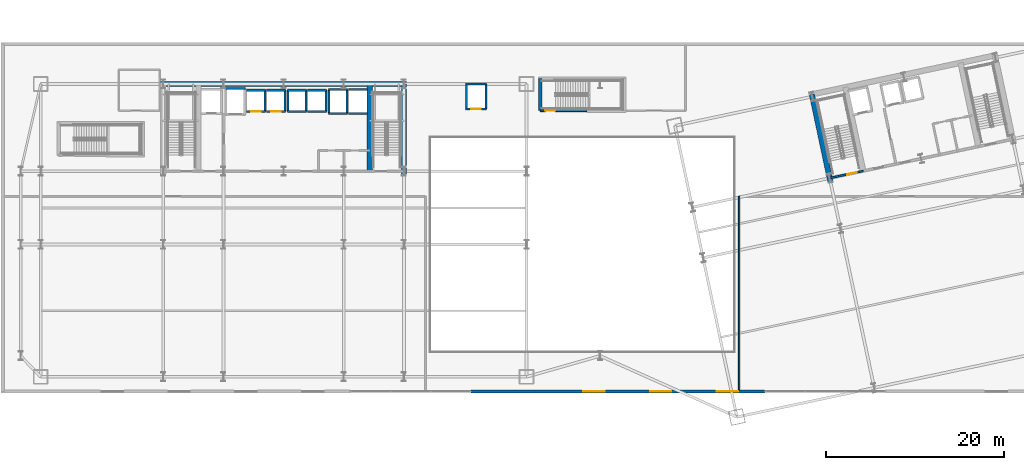
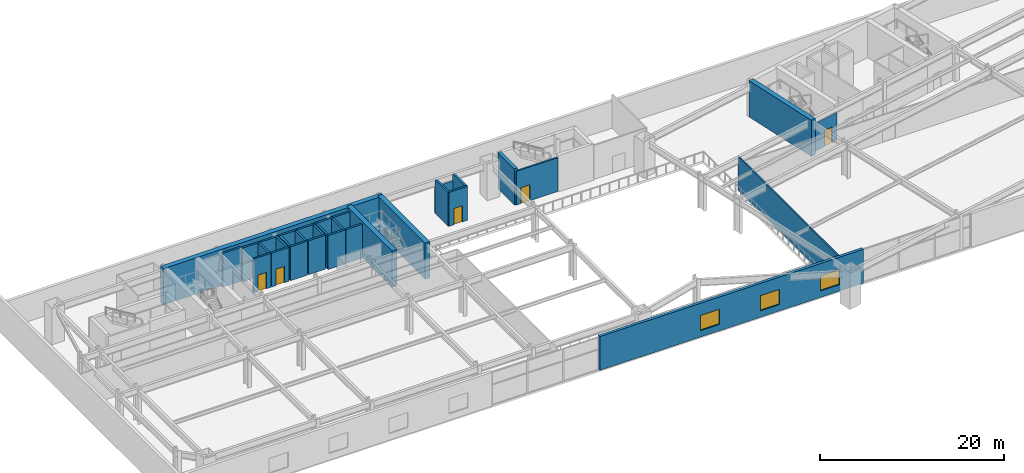
# One storey, part 13 of 25: 33 walls, 5 doors, 3 windows, 8 openings.
"""IFC4 building model written with IfcOpenShell, lengths in metres."""

from ifc_helpers import new_model, si_unit, direction, frame, frame_2d, origin, place, context, subcontext, project, spatial, rectangle, extrude, material, layer, layer_set, type_object, element, fill, save


model = new_model("IFC4")

# Units and contexts
model_context = context("Model", 3, precision=1e-05, world=origin(), true_north=direction((0.0, 1.0)))
body_context = subcontext(model_context, "Body", "Model", "MODEL_VIEW")
ifc_project = project(units=[si_unit("LENGTHUNIT", "METRE"), si_unit("AREAUNIT", "SQUARE_METRE"), si_unit("VOLUMEUNIT", "CUBIC_METRE"), si_unit("PLANEANGLEUNIT", "RADIAN"), si_unit("MASSUNIT", "GRAM", prefix="KILO")], contexts=[model_context])

# Site, building, storey
site_placement = place(None, origin())
site = spatial("IfcSite", under=ifc_project, at=site_placement, CompositionType="ELEMENT")
building_placement = place(site_placement, origin())
building = spatial("IfcBuilding", under=site, at=building_placement, Name="Haevon Station Towers", CompositionType="ELEMENT")
storey_placement = place(building_placement, frame((0.0, 0.0, 6.0)))
storey = spatial("IfcBuildingStorey", under=building, at=storey_placement, Name="L01", CompositionType="ELEMENT", Elevation=6.0)

# Wall, opening, door
ifc_material_1 = material(Name="Gypsum board on steel stud", Category="steel")
ifc_layer_1 = layer(ifc_material_1, 0.199951171875)
ifc_layer_set_1 = layer_set([ifc_layer_1], Name="Gypsum board on steel stud")
wall_type_1 = type_object("IfcWallType", Name="WL-COR200", PredefinedType="PARTITIONING", material=ifc_layer_set_1)
wall_1_placement = place(storey_placement, frame((98.75244140625, 37.4423828125, 0.0), z_axis=(0.0, 0.0, 1.0), x_axis=(0.978143537786, 0.207930804564, 0.0)))
wall_1 = element("IfcWall", 1, at=wall_1_placement, inside=storey, type_object=wall_type_1, Name="WL-ST-ST3-L01", PredefinedType="PARTITIONING", context=body_context, shape_type="SweptSolid", body=[
    extrude(rectangle(XDim=3.85009765625, YDim=0.199951171875, at=frame_2d((1.925048828125, 0.0))), origin(), (0.0, 0.0, 1.0), 3.679931640625),
])
opening_1_placement = place(wall_1_placement, frame((2.0, 0.0, 0.0)))
opening_1 = element("IfcOpeningElement", 2, at=opening_1_placement, cuts=wall_1, Name="Opening DR-ST-ST3-L01", PredefinedType="OPENING", context=body_context, shape_type="SweptSolid", body=[
    extrude(rectangle(XDim=1.1201171875, YDim=2.10009765625, at=frame_2d((0.56005859375, 1.050048828125))), frame((0.0, 0.10986328125, 0.0), z_axis=(0.0, -1.0, 0.0), x_axis=(1.0, 0.0, 0.0)), (0.0, 0.0, 1.0), 0.219970703125),
])
ifc_material_2 = material(Name="Engineered oak timber", Category="wood")
door_type_1 = type_object("IfcDoorType", Name="DR-ST-1120", OperationType="NOTDEFINED", PredefinedType="DOOR", material=ifc_material_2)
door_1_placement = place(opening_1_placement, origin())
door_1 = element("IfcDoor", 3, at=door_1_placement, inside=storey, type_object=door_type_1, Name="L01 Escape Stair ST3 Fire Door", OperationType="SINGLE_SWING_LEFT", OverallHeight=2.10009765625, OverallWidth=1.1201171875, PredefinedType="DOOR", context=body_context, shape_type="SweptSolid", body=[
    extrude(rectangle(XDim=1.1201171875, YDim=2.10009765625, at=frame_2d((0.56005859375, 1.050048828125))), frame((0.0, 0.02490234375, 0.0), z_axis=(0.0, -1.0, 0.0), x_axis=(1.0, 0.0, 0.0)), (0.0, 0.0, 1.0), 0.050048828125),
])
fill(opening_1, door_1)

wall_2_placement = place(storey_placement, frame((66.300048828125, 45.0, 0.0), z_axis=(0.0, 0.0, 1.0), x_axis=(1.0, 0.0, 0.0)))
wall_2 = element("IfcWall", 4, at=wall_2_placement, inside=storey, type_object=wall_type_1, Name="WL-ST-ST6-L01-S", PredefinedType="PARTITIONING", context=body_context, shape_type="SweptSolid", body=[
    extrude(rectangle(XDim=5.199951171875, YDim=0.199951171875, at=frame_2d((2.60009765625, 0.0))), origin(), (0.0, 0.0, 1.0), 4.47998046875),
])
opening_2_placement = place(wall_2_placement, frame((0.550048828125, 0.0, 0.0)))
opening_2 = element("IfcOpeningElement", 5, at=opening_2_placement, cuts=wall_2, Name="Opening DR-ST-ST6-L01", PredefinedType="OPENING", context=body_context, shape_type="SweptSolid", body=[
    extrude(rectangle(XDim=1.1201171875, YDim=2.10009765625, at=frame_2d((0.56005859375, 1.050048828125))), frame((0.0, 0.10986328125, 0.0), z_axis=(0.0, -1.0, 0.0), x_axis=(1.0, 0.0, 0.0)), (0.0, 0.0, 1.0), 0.219970703125),
])
door_2_placement = place(opening_2_placement, origin())
door_2 = element("IfcDoor", 6, at=door_2_placement, inside=storey, type_object=door_type_1, Name="L01 Station Escape Stair ST6 Fire Door", OperationType="SINGLE_SWING_LEFT", OverallHeight=2.10009765625, OverallWidth=1.1201171875, PredefinedType="DOOR", context=body_context, shape_type="SweptSolid", body=[
    extrude(rectangle(XDim=1.1201171875, YDim=2.10009765625, at=frame_2d((0.56005859375, 1.050048828125))), frame((0.0, 0.02490234375, 0.0), z_axis=(0.0, -1.0, 0.0), x_axis=(1.0, 0.0, 0.0)), (0.0, 0.0, 1.0), 0.050048828125),
])
fill(opening_2, door_2)

# Walls
ifc_material_3 = material(Name="Concrete C60/75", Category="concrete")
ifc_layer_2 = layer(ifc_material_3, 0.39990234375)
ifc_layer_set_2 = layer_set([ifc_layer_2], Name="Concrete C60/75")
wall_type_2 = type_object("IfcWallType", Name="WL-CR400", PredefinedType="SHEAR", material=ifc_layer_set_2)
wall_3_placement = place(storey_placement, frame((66.300048828125, 45.0, 0.0), z_axis=(0.0, 0.0, 1.0), x_axis=(0.0, 1.0, 0.0)))
element("IfcWall", 7, at=wall_3_placement, inside=storey, type_object=wall_type_2, Name="WL-ST6CR-L01-W", PredefinedType="SHEAR", context=body_context, shape_type="SweptSolid", body=[
    extrude(rectangle(XDim=3.60009765625, YDim=0.39990234375, at=frame_2d((1.800048828125, 0.0))), origin(), (0.0, 0.0, 1.0), 4.800048828125),
])
ifc_layer_3 = layer(ifc_material_3, 0.60009765625)
ifc_layer_set_3 = layer_set([ifc_layer_3], Name="Concrete C60/75")
wall_type_3 = type_object("IfcWallType", Name="WL-CR600", PredefinedType="SHEAR", material=ifc_layer_set_3)
wall_4_placement = place(storey_placement, frame((23.699951171875, 48.0, 0.0), z_axis=(0.0, 0.0, 1.0), x_axis=(1.0, 0.0, 0.0)))
element("IfcWall", 8, at=wall_4_placement, inside=storey, type_object=wall_type_3, Name="WL-T1CR-L01-N", PredefinedType="SHEAR", context=body_context, shape_type="SweptSolid", body=[
    extrude(rectangle(XDim=27.60009765625, YDim=0.60009765625, at=frame_2d((13.800048828125, 0.0))), origin(), (0.0, 0.0, 1.0), 4.800048828125),
])
wall_5_placement = place(storey_placement, frame((51.0, 37.679931640625, 0.0), z_axis=(0.0, 0.0, 1.0), x_axis=(0.0, 1.0, 0.0)))
element("IfcWall", 9, at=wall_5_placement, inside=storey, type_object=wall_type_3, Name="WL-T1CR-L01-E", PredefinedType="SHEAR", context=body_context, shape_type="SweptSolid", body=[
    extrude(rectangle(XDim=10.320068359375, YDim=0.60009765625, at=frame_2d((5.16015625, 0.0))), origin(), (0.0, 0.0, 1.0), 4.800048828125),
])
wall_6_placement = place(storey_placement, frame((47.14990234375, 38.199951171875, 0.0), z_axis=(0.0, 0.0, 1.0), x_axis=(0.0, 1.0, 0.0)))
element("IfcWall", 10, at=wall_6_placement, inside=storey, type_object=wall_type_3, Name="WL-T1CR-L01-M2", PredefinedType="SHEAR", context=body_context, shape_type="SweptSolid", body=[
    extrude(rectangle(XDim=9.800048828125, YDim=0.60009765625, at=frame_2d((4.89990234375, 0.0))), origin(), (0.0, 0.0, 1.0), 4.800048828125),
])
wall_7_placement = place(storey_placement, frame((98.8603515625, 36.933837890625, 0.0), z_axis=(0.0, 0.0, 1.0), x_axis=(-0.20790924889, 0.978148119778, 0.0)))
element("IfcWall", 11, at=wall_7_placement, inside=storey, type_object=wall_type_3, Name="WL-T2CR-L01-W", PredefinedType="SHEAR", context=body_context, shape_type="SweptSolid", body=[
    extrude(rectangle(XDim=10.119873046875, YDim=0.60009765625, at=frame_2d((5.06005859375, 0.0))), origin(), (0.0, 0.0, 1.0), 4.800048828125),
])

# Wall, openings, windows
ifc_material_4 = material(Name="Precast concrete C45/55", Category="concrete")
ifc_layer_4 = layer(ifc_material_4, 0.360107421875)
ifc_layer_set_4 = layer_set([ifc_layer_4], Name="Precast concrete C45/55")
wall_type_4 = type_object("IfcWallType", Name="WL-EXT-POD360", PredefinedType="SOLIDWALL", material=ifc_layer_set_4)
wall_8_placement = place(storey_placement, frame((91.5, 13.5, 0.0), z_axis=(0.0, 0.0, 1.0), x_axis=(-1.0, 0.0, 0.0)))
wall_8 = element("IfcWall", 12, at=wall_8_placement, inside=storey, type_object=wall_type_4, Name="WL-POD-L01-S2", PredefinedType="SOLIDWALL", context=body_context, shape_type="SweptSolid", body=[
    extrude(rectangle(XDim=33.0, YDim=0.360107421875, at=frame_2d((16.5, 0.0))), origin(), (0.0, 0.0, 1.0), 4.47998046875),
])
opening_3_placement = place(wall_8_placement, frame((3.0, 0.0, 0.85009765625)))
opening_3 = element("IfcOpeningElement", 13, at=opening_3_placement, cuts=wall_8, Name="Opening WN-P240", PredefinedType="OPENING", context=body_context, shape_type="SweptSolid", body=[
    extrude(rectangle(XDim=2.39990234375, YDim=2.0, at=frame_2d((1.199951171875, 1.0))), frame((0.0, 0.18994140625, 0.0), z_axis=(0.0, -1.0, 0.0), x_axis=(1.0, 0.0, 0.0)), (0.0, 0.0, 1.0), 0.380126953125),
])
opening_4_placement = place(wall_8_placement, frame((10.5, 0.0, 0.85009765625)))
opening_4 = element("IfcOpeningElement", 14, at=opening_4_placement, cuts=wall_8, Name="Opening WN-P240", PredefinedType="OPENING", context=body_context, shape_type="SweptSolid", body=[
    extrude(rectangle(XDim=2.39990234375, YDim=2.0, at=frame_2d((1.199951171875, 1.0))), frame((0.0, 0.18994140625, 0.0), z_axis=(0.0, -1.0, 0.0), x_axis=(1.0, 0.0, 0.0)), (0.0, 0.0, 1.0), 0.380126953125),
])
opening_5_placement = place(wall_8_placement, frame((18.0, 0.0, 0.85009765625)))
opening_5 = element("IfcOpeningElement", 15, at=opening_5_placement, cuts=wall_8, Name="Opening WN-P240", PredefinedType="OPENING", context=body_context, shape_type="SweptSolid", body=[
    extrude(rectangle(XDim=2.39990234375, YDim=2.0, at=frame_2d((1.199951171875, 1.0))), frame((0.0, 0.18994140625, 0.0), z_axis=(0.0, -1.0, 0.0), x_axis=(1.0, 0.0, 0.0)), (0.0, 0.0, 1.0), 0.380126953125),
])
ifc_material_5 = material(Name="Low-E triple glazing in thermally broken aluminium", Category="aluminium")
window_type = type_object("IfcWindowType", Name="WN-P240", PartitioningType="SINGLE_PANEL", PredefinedType="WINDOW", material=ifc_material_5)
window_1_placement = place(opening_3_placement, origin())
window_1 = element("IfcWindow", 16, at=window_1_placement, inside=storey, type_object=window_type, Name="WN-POD-L01-S2-01", OverallHeight=2.0, OverallWidth=2.39990234375, PartitioningType="SINGLE_PANEL", PredefinedType="WINDOW", context=body_context, shape_type="SweptSolid", body=[
    extrude(rectangle(XDim=2.39990234375, YDim=2.0, at=frame_2d((1.199951171875, 1.0))), frame((0.0, 0.030029296875, 0.0), z_axis=(0.0, -1.0, 0.0), x_axis=(1.0, 0.0, 0.0)), (0.0, 0.0, 1.0), 0.06005859375),
])
fill(opening_3, window_1)
window_2_placement = place(opening_4_placement, origin())
window_2 = element("IfcWindow", 17, at=window_2_placement, inside=storey, type_object=window_type, Name="WN-POD-L01-S2-02", OverallHeight=2.0, OverallWidth=2.39990234375, PartitioningType="SINGLE_PANEL", PredefinedType="WINDOW", context=body_context, shape_type="SweptSolid", body=[
    extrude(rectangle(XDim=2.39990234375, YDim=2.0, at=frame_2d((1.199951171875, 1.0))), frame((0.0, 0.030029296875, 0.0), z_axis=(0.0, -1.0, 0.0), x_axis=(1.0, 0.0, 0.0)), (0.0, 0.0, 1.0), 0.06005859375),
])
fill(opening_4, window_2)
window_3_placement = place(opening_5_placement, origin())
window_3 = element("IfcWindow", 18, at=window_3_placement, inside=storey, type_object=window_type, Name="WN-POD-L01-S2-03", OverallHeight=2.0, OverallWidth=2.39990234375, PartitioningType="SINGLE_PANEL", PredefinedType="WINDOW", context=body_context, shape_type="SweptSolid", body=[
    extrude(rectangle(XDim=2.39990234375, YDim=2.0, at=frame_2d((1.199951171875, 1.0))), frame((0.0, 0.030029296875, 0.0), z_axis=(0.0, -1.0, 0.0), x_axis=(1.0, 0.0, 0.0)), (0.0, 0.0, 1.0), 0.06005859375),
])
fill(opening_5, window_3)

# Walls
ifc_layer_5 = layer(ifc_material_1, 0.159912109375)
ifc_layer_set_5 = layer_set([ifc_layer_5], Name="Gypsum board on steel stud")
wall_type_5 = type_object("IfcWallType", Name="WL-PRT160", PredefinedType="PARTITIONING", material=ifc_layer_set_5)
wall_9_placement = place(storey_placement, frame((88.60009765625, 13.64990234375, 0.0), z_axis=(0.0, 0.0, 1.0), x_axis=(0.0, 1.0, 0.0)))
element("IfcWall", 19, at=wall_9_placement, inside=storey, type_object=wall_type_5, Name="WL-L01-EAST", PredefinedType="PARTITIONING", context=body_context, shape_type="SweptSolid", body=[
    extrude(rectangle(XDim=21.75, YDim=0.159912109375, at=frame_2d((10.875, 0.0))), origin(), (0.0, 0.0, 1.0), 4.47998046875),
])
ifc_material_6 = material(Name="Concrete C40/50", Category="concrete")
ifc_layer_6 = layer(ifc_material_6, 0.239990234375)
ifc_layer_set_6 = layer_set([ifc_layer_6], Name="Concrete C40/50")
wall_type_6 = type_object("IfcWallType", Name="WL-SHF240", PredefinedType="PARTITIONING", material=ifc_layer_set_6)
wall_10_placement = place(storey_placement, frame((30.969970703125, 47.5, 0.0), z_axis=(0.0, 0.0, 1.0), x_axis=(1.0, 0.0, 0.0)))
element("IfcWall", 20, at=wall_10_placement, inside=storey, type_object=wall_type_6, Name="WL-SHF-SL1-L01-N", PredefinedType="PARTITIONING", context=body_context, shape_type="SweptSolid", body=[
    extrude(rectangle(XDim=2.260009765625, YDim=0.239990234375, at=frame_2d((1.1298828125, 0.0))), origin(), (0.0, 0.0, 1.0), 4.47998046875),
])

# Wall, opening, door
wall_11_placement = place(storey_placement, frame((33.320068359375, 44.89990234375, 0.0), z_axis=(0.0, 0.0, 1.0), x_axis=(1.0, 0.0, 0.0)))
wall_11 = element("IfcWall", 21, at=wall_11_placement, inside=storey, type_object=wall_type_6, Name="WL-SHF-PL1-L01", PredefinedType="PARTITIONING", context=body_context, shape_type="SweptSolid", body=[
    extrude(rectangle(XDim=2.159912109375, YDim=0.239990234375, at=frame_2d((1.080078125, 0.0))), origin(), (0.0, 0.0, 1.0), 4.47998046875),
])
opening_6_placement = place(wall_11_placement, frame((0.554931640625, 0.0, 0.0)))
opening_6 = element("IfcOpeningElement", 22, at=opening_6_placement, cuts=wall_11, Name="Opening LD-PL1-L01", PredefinedType="OPENING", context=body_context, shape_type="SweptSolid", body=[
    extrude(rectangle(XDim=1.050048828125, YDim=2.14990234375, at=frame_2d((0.52490234375, 1.074951171875))), frame((0.0, 0.1298828125, 0.0), z_axis=(0.0, -1.0, 0.0), x_axis=(1.0, 0.0, 0.0)), (0.0, 0.0, 1.0), 0.260009765625),
])
ifc_material_7 = material(Name="Stainless steel and rated core", Category="steel")
door_type_2 = type_object("IfcDoorType", Name="LD-PL1050", OperationType="SLIDING_TO_LEFT", PredefinedType="DOOR", material=ifc_material_7)
door_3_placement = place(opening_6_placement, origin())
door_3 = element("IfcDoor", 23, at=door_3_placement, inside=storey, type_object=door_type_2, Name="L01 Lift PL1 Sliding Landing Door", OperationType="SLIDING_TO_LEFT", OverallHeight=2.14990234375, OverallWidth=1.050048828125, PredefinedType="DOOR", context=body_context, shape_type="SweptSolid", body=[
    extrude(rectangle(XDim=1.050048828125, YDim=2.14990234375, at=frame_2d((0.52490234375, 1.074951171875))), frame((0.0, 0.02490234375, 0.0), z_axis=(0.0, -1.0, 0.0), x_axis=(1.0, 0.0, 0.0)), (0.0, 0.0, 1.0), 0.050048828125),
])
fill(opening_6, door_3)

# Walls
wall_12_placement = place(storey_placement, frame((33.320068359375, 47.300048828125, 0.0), z_axis=(0.0, 0.0, 1.0), x_axis=(1.0, 0.0, 0.0)))
element("IfcWall", 24, at=wall_12_placement, inside=storey, type_object=wall_type_6, Name="WL-SHF-PL1-L01-N", PredefinedType="PARTITIONING", context=body_context, shape_type="SweptSolid", body=[
    extrude(rectangle(XDim=2.159912109375, YDim=0.239990234375, at=frame_2d((1.080078125, 0.0))), origin(), (0.0, 0.0, 1.0), 4.47998046875),
])
wall_13_placement = place(storey_placement, frame((35.39990234375, 44.89990234375, 0.0), z_axis=(0.0, 0.0, 1.0), x_axis=(0.0, 1.0, 0.0)))
element("IfcWall", 25, at=wall_13_placement, inside=storey, type_object=wall_type_6, Name="WL-SHF-PL1-L01-E", PredefinedType="PARTITIONING", context=body_context, shape_type="SweptSolid", body=[
    extrude(rectangle(XDim=2.400146484375, YDim=0.239990234375, at=frame_2d((1.2001953125, 0.0))), origin(), (0.0, 0.0, 1.0), 4.47998046875),
])

# Wall, opening, door
wall_14_placement = place(storey_placement, frame((35.570068359375, 44.89990234375, 0.0), z_axis=(0.0, 0.0, 1.0), x_axis=(1.0, 0.0, 0.0)))
wall_14 = element("IfcWall", 26, at=wall_14_placement, inside=storey, type_object=wall_type_6, Name="WL-SHF-PL2-L01", PredefinedType="PARTITIONING", context=body_context, shape_type="SweptSolid", body=[
    extrude(rectangle(XDim=2.159912109375, YDim=0.239990234375, at=frame_2d((1.080078125, 0.0))), origin(), (0.0, 0.0, 1.0), 4.47998046875),
])
opening_7_placement = place(wall_14_placement, frame((0.554931640625, 0.0, 0.0)))
opening_7 = element("IfcOpeningElement", 27, at=opening_7_placement, cuts=wall_14, Name="Opening LD-PL2-L01", PredefinedType="OPENING", context=body_context, shape_type="SweptSolid", body=[
    extrude(rectangle(XDim=1.050048828125, YDim=2.14990234375, at=frame_2d((0.52490234375, 1.074951171875))), frame((0.0, 0.1298828125, 0.0), z_axis=(0.0, -1.0, 0.0), x_axis=(1.0, 0.0, 0.0)), (0.0, 0.0, 1.0), 0.260009765625),
])
door_4_placement = place(opening_7_placement, origin())
door_4 = element("IfcDoor", 28, at=door_4_placement, inside=storey, type_object=door_type_2, Name="L01 Lift PL2 Sliding Landing Door", OperationType="SLIDING_TO_LEFT", OverallHeight=2.14990234375, OverallWidth=1.050048828125, PredefinedType="DOOR", context=body_context, shape_type="SweptSolid", body=[
    extrude(rectangle(XDim=1.050048828125, YDim=2.14990234375, at=frame_2d((0.52490234375, 1.074951171875))), frame((0.0, 0.02490234375, 0.0), z_axis=(0.0, -1.0, 0.0), x_axis=(1.0, 0.0, 0.0)), (0.0, 0.0, 1.0), 0.050048828125),
])
fill(opening_7, door_4)

# Walls
wall_15_placement = place(storey_placement, frame((35.570068359375, 47.300048828125, 0.0), z_axis=(0.0, 0.0, 1.0), x_axis=(1.0, 0.0, 0.0)))
element("IfcWall", 29, at=wall_15_placement, inside=storey, type_object=wall_type_6, Name="WL-SHF-PL2-L01-N", PredefinedType="PARTITIONING", context=body_context, shape_type="SweptSolid", body=[
    extrude(rectangle(XDim=2.159912109375, YDim=0.239990234375, at=frame_2d((1.080078125, 0.0))), origin(), (0.0, 0.0, 1.0), 4.47998046875),
])
wall_16_placement = place(storey_placement, frame((37.64990234375, 44.89990234375, 0.0), z_axis=(0.0, 0.0, 1.0), x_axis=(0.0, 1.0, 0.0)))
element("IfcWall", 30, at=wall_16_placement, inside=storey, type_object=wall_type_6, Name="WL-SHF-PL2-L01-E", PredefinedType="PARTITIONING", context=body_context, shape_type="SweptSolid", body=[
    extrude(rectangle(XDim=2.400146484375, YDim=0.239990234375, at=frame_2d((1.2001953125, 0.0))), origin(), (0.0, 0.0, 1.0), 4.47998046875),
])
for number, where, z_axis, x_axis, name in (
    (31, (37.919921875, 44.89990234375, 0.0), (0.0, 0.0, 1.0), (1.0, 0.0, 0.0), "WL-SHF-PL3-L01"),
    (32, (37.919921875, 47.300048828125, 0.0), (0.0, 0.0, 1.0), (1.0, 0.0, 0.0), "WL-SHF-PL3-L01-N"),
):
    element("IfcWall", number, at=place(storey_placement, frame(where, z_axis=z_axis, x_axis=x_axis)), inside=storey, type_object=wall_type_6, Name=name, PredefinedType="PARTITIONING", context=body_context, shape_type="SweptSolid", body=[
        extrude(rectangle(XDim=2.16015625, YDim=0.239990234375, at=frame_2d((1.080078125, 0.0))), origin(), (0.0, 0.0, 1.0), 4.47998046875),
    ])
for number, where, z_axis, x_axis, name in (
    (33, (38.0, 44.89990234375, 0.0), (0.0, 0.0, 1.0), (0.0, 1.0, 0.0), "WL-SHF-PL3-L01-W"),
    (34, (40.0, 44.89990234375, 0.0), (0.0, 0.0, 1.0), (0.0, 1.0, 0.0), "WL-SHF-PL3-L01-E"),
):
    element("IfcWall", number, at=place(storey_placement, frame(where, z_axis=z_axis, x_axis=x_axis)), inside=storey, type_object=wall_type_6, Name=name, PredefinedType="PARTITIONING", context=body_context, shape_type="SweptSolid", body=[
        extrude(rectangle(XDim=2.400146484375, YDim=0.239990234375, at=frame_2d((1.2001953125, 0.0))), origin(), (0.0, 0.0, 1.0), 4.47998046875),
    ])
for number, where, z_axis, x_axis, name in (
    (35, (40.169921875, 44.89990234375, 0.0), (0.0, 0.0, 1.0), (1.0, 0.0, 0.0), "WL-SHF-PL4-L01"),
    (36, (40.169921875, 47.300048828125, 0.0), (0.0, 0.0, 1.0), (1.0, 0.0, 0.0), "WL-SHF-PL4-L01-N"),
):
    element("IfcWall", number, at=place(storey_placement, frame(where, z_axis=z_axis, x_axis=x_axis)), inside=storey, type_object=wall_type_6, Name=name, PredefinedType="PARTITIONING", context=body_context, shape_type="SweptSolid", body=[
        extrude(rectangle(XDim=2.16015625, YDim=0.239990234375, at=frame_2d((1.080078125, 0.0))), origin(), (0.0, 0.0, 1.0), 4.47998046875),
    ])
wall_17_placement = place(storey_placement, frame((42.25, 44.89990234375, 0.0), z_axis=(0.0, 0.0, 1.0), x_axis=(0.0, 1.0, 0.0)))
element("IfcWall", 37, at=wall_17_placement, inside=storey, type_object=wall_type_6, Name="WL-SHF-PL4-L01-E", PredefinedType="PARTITIONING", context=body_context, shape_type="SweptSolid", body=[
    extrude(rectangle(XDim=2.400146484375, YDim=0.239990234375, at=frame_2d((1.2001953125, 0.0))), origin(), (0.0, 0.0, 1.0), 4.47998046875),
])
for number, where, z_axis, x_axis, name in (
    (38, (42.52001953125, 44.699951171875, 0.0), (0.0, 0.0, 1.0), (1.0, 0.0, 0.0), "WL-SHF-PL5-L01"),
    (39, (42.52001953125, 47.39990234375, 0.0), (0.0, 0.0, 1.0), (1.0, 0.0, 0.0), "WL-SHF-PL5-L01-N"),
):
    element("IfcWall", number, at=place(storey_placement, frame(where, z_axis=z_axis, x_axis=x_axis)), inside=storey, type_object=wall_type_6, Name=name, PredefinedType="PARTITIONING", context=body_context, shape_type="SweptSolid", body=[
        extrude(rectangle(XDim=2.159912109375, YDim=0.239990234375, at=frame_2d((1.080078125, 0.0))), origin(), (0.0, 0.0, 1.0), 4.47998046875),
    ])
for number, where, z_axis, x_axis, name in (
    (40, (42.60009765625, 44.699951171875, 0.0), (0.0, 0.0, 1.0), (0.0, 1.0, 0.0), "WL-SHF-PL5-L01-W"),
    (41, (44.60009765625, 44.699951171875, 0.0), (0.0, 0.0, 1.0), (0.0, 1.0, 0.0), "WL-SHF-PL5-L01-E"),
):
    element("IfcWall", number, at=place(storey_placement, frame(where, z_axis=z_axis, x_axis=x_axis)), inside=storey, type_object=wall_type_6, Name=name, PredefinedType="PARTITIONING", context=body_context, shape_type="SweptSolid", body=[
        extrude(rectangle(XDim=2.699951171875, YDim=0.239990234375, at=frame_2d((1.35009765625, 0.0))), origin(), (0.0, 0.0, 1.0), 4.47998046875),
    ])
for number, where, z_axis, x_axis, name in (
    (42, (44.77001953125, 44.699951171875, 0.0), (0.0, 0.0, 1.0), (1.0, 0.0, 0.0), "WL-SHF-PL6-L01"),
    (43, (44.77001953125, 47.39990234375, 0.0), (0.0, 0.0, 1.0), (1.0, 0.0, 0.0), "WL-SHF-PL6-L01-N"),
):
    element("IfcWall", number, at=place(storey_placement, frame(where, z_axis=z_axis, x_axis=x_axis)), inside=storey, type_object=wall_type_6, Name=name, PredefinedType="PARTITIONING", context=body_context, shape_type="SweptSolid", body=[
        extrude(rectangle(XDim=2.159912109375, YDim=0.239990234375, at=frame_2d((1.080078125, 0.0))), origin(), (0.0, 0.0, 1.0), 4.47998046875),
    ])

# Wall, opening, door
wall_18_placement = place(storey_placement, frame((57.919921875, 45.199951171875, 0.0), z_axis=(0.0, 0.0, 1.0), x_axis=(1.0, 0.0, 0.0)))
wall_18 = element("IfcWall", 44, at=wall_18_placement, inside=storey, type_object=wall_type_6, Name="WL-SHF-PL11-L01", PredefinedType="PARTITIONING", context=body_context, shape_type="SweptSolid", body=[
    extrude(rectangle(XDim=2.360107421875, YDim=0.239990234375, at=frame_2d((1.18017578125, 0.0))), origin(), (0.0, 0.0, 1.0), 4.47998046875),
])
opening_8_placement = place(wall_18_placement, frame((0.655029296875, 0.0, 0.0)))
opening_8 = element("IfcOpeningElement", 45, at=opening_8_placement, cuts=wall_18, Name="Opening LD-PL11-L01", PredefinedType="OPENING", context=body_context, shape_type="SweptSolid", body=[
    extrude(rectangle(XDim=1.050048828125, YDim=2.14990234375, at=frame_2d((0.52490234375, 1.074951171875))), frame((0.0, 0.1298828125, 0.0), z_axis=(0.0, -1.0, 0.0), x_axis=(1.0, 0.0, 0.0)), (0.0, 0.0, 1.0), 0.260009765625),
])
door_5_placement = place(opening_8_placement, origin())
door_5 = element("IfcDoor", 46, at=door_5_placement, inside=storey, type_object=door_type_2, Name="L01 Lift PL11 Sliding Landing Door", OperationType="SLIDING_TO_LEFT", OverallHeight=2.14990234375, OverallWidth=1.050048828125, PredefinedType="DOOR", context=body_context, shape_type="SweptSolid", body=[
    extrude(rectangle(XDim=1.050048828125, YDim=2.14990234375, at=frame_2d((0.52490234375, 1.074951171875))), frame((0.0, 0.02490234375, 0.0), z_axis=(0.0, -1.0, 0.0), x_axis=(1.0, 0.0, 0.0)), (0.0, 0.0, 1.0), 0.050048828125),
])
fill(opening_8, door_5)

# Walls
wall_19_placement = place(storey_placement, frame((57.919921875, 48.0, 0.0), z_axis=(0.0, 0.0, 1.0), x_axis=(1.0, 0.0, 0.0)))
element("IfcWall", 47, at=wall_19_placement, inside=storey, type_object=wall_type_6, Name="WL-SHF-PL11-L01-N", PredefinedType="PARTITIONING", context=body_context, shape_type="SweptSolid", body=[
    extrude(rectangle(XDim=2.360107421875, YDim=0.239990234375, at=frame_2d((1.18017578125, 0.0))), origin(), (0.0, 0.0, 1.0), 3.580078125),
])
for number, where, z_axis, x_axis, name in (
    (48, (58.0, 45.199951171875, 0.0), (0.0, 0.0, 1.0), (0.0, 1.0, 0.0), "WL-SHF-PL11-L01-W"),
    (49, (60.199951171875, 45.199951171875, 0.0), (0.0, 0.0, 1.0), (0.0, 1.0, 0.0), "WL-SHF-PL11-L01-E"),
):
    element("IfcWall", number, at=place(storey_placement, frame(where, z_axis=z_axis, x_axis=x_axis)), inside=storey, type_object=wall_type_6, Name=name, PredefinedType="PARTITIONING", context=body_context, shape_type="SweptSolid", body=[
        extrude(rectangle(XDim=2.800048828125, YDim=0.239990234375, at=frame_2d((1.39990234375, 0.0))), origin(), (0.0, 0.0, 1.0), 4.47998046875),
    ])

save(model, "model.ifc")
